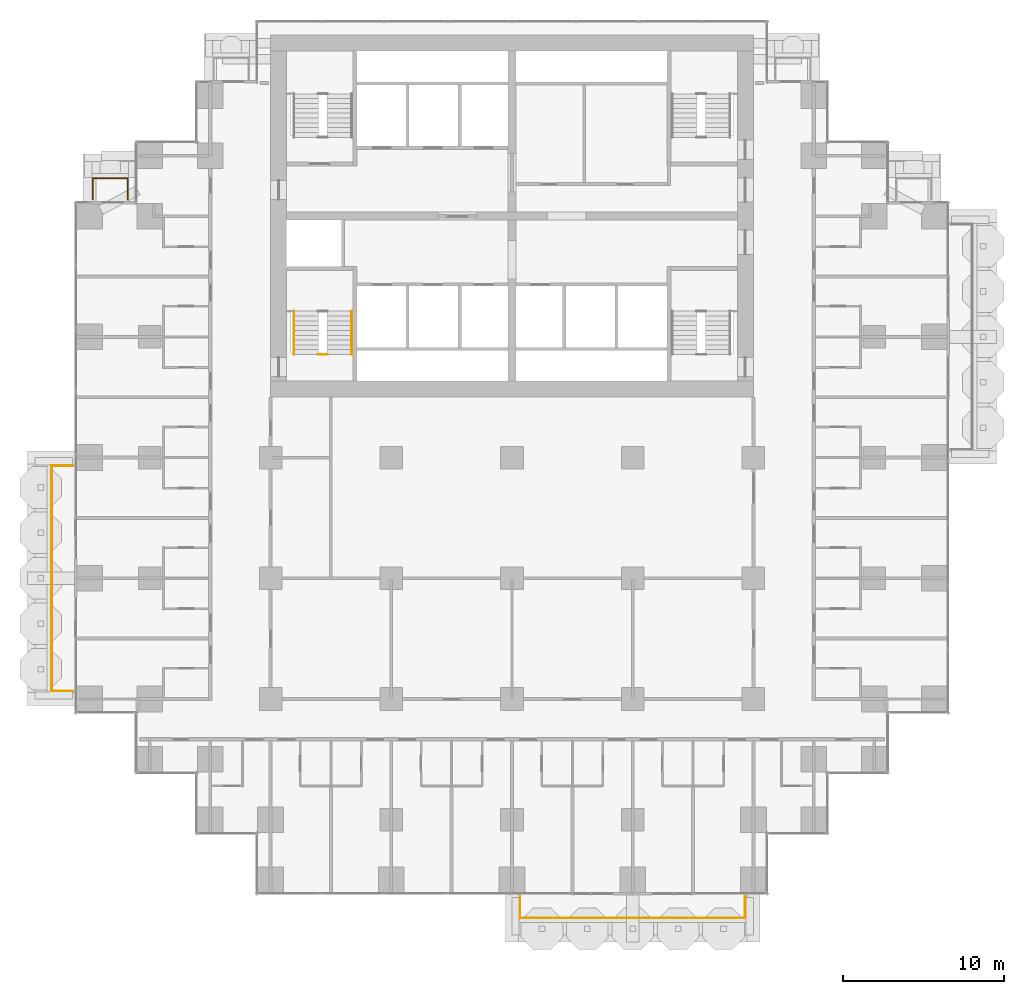
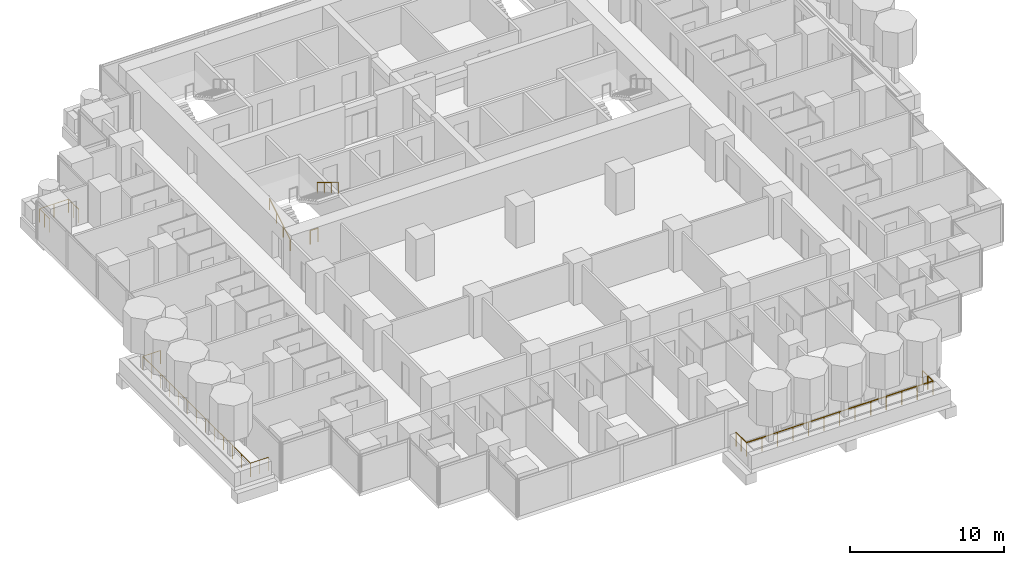
# One storey, part 17 of 19: 6 railings.
"""IFC4 building model written with IfcOpenShell, lengths in metres."""

from ifc_helpers import new_model, si_unit, direction, frame, origin, origin_2d, place, context, subcontext, project, spatial, circle, extrude, material, type_object, element, save


model = new_model("IFC4")

# Units and contexts
model_context = context("Model", 3, precision=1e-05, world=origin(), true_north=direction((0.0, 1.0)))
body_context = subcontext(model_context, "Body", "Model", "MODEL_VIEW")
ifc_project = project(units=[si_unit("LENGTHUNIT", "METRE"), si_unit("AREAUNIT", "SQUARE_METRE"), si_unit("VOLUMEUNIT", "CUBIC_METRE"), si_unit("PLANEANGLEUNIT", "RADIAN"), si_unit("MASSUNIT", "GRAM", prefix="KILO")], contexts=[model_context])

# Site, building, storey
site_placement = place(None, origin())
site = spatial("IfcSite", under=ifc_project, at=site_placement, CompositionType="ELEMENT")
building_placement = place(site_placement, origin())
building = spatial("IfcBuilding", under=site, at=building_placement, Name="Pilkhan Gate Tower", CompositionType="ELEMENT")
storey_placement = place(building_placement, frame((0.0, 0.0, 46.10009765625)))
storey = spatial("IfcBuildingStorey", under=building, at=storey_placement, Name="L08", CompositionType="ELEMENT", Elevation=46.10009765625)

# Railings
ifc_material_1 = material(Name="Pale anodised aluminium posts, laminated glass infill", Category="aluminium")
railing_type_1 = type_object("IfcRailingType", Name="Balcony guard G1", PredefinedType="BALUSTRADE", material=ifc_material_1)
railing_1_placement = place(storey_placement, frame((75.5, 40.22998046875, 0.0)))
element("IfcRailing", 1, at=railing_1_placement, inside=storey, type_object=railing_type_1, Name="Balcony guard L08 S", PredefinedType="BALUSTRADE", context=body_context, shape_type="SweptSolid", body=[
    extrude(circle(Radius=0.02392578125, at=origin_2d()), frame((0.0, 0.0, 1.076171875), z_axis=(0.0, -1.0, 0.0), x_axis=(1.0, 0.0, 0.0)), (0.0, 0.0, 1.0), 1.330078125),
    extrude(circle(Radius=0.02392578125, at=origin_2d()), frame((0.0, -1.330078125, 1.076171875), z_axis=(1.0, 0.0, 0.0), x_axis=(0.0, 1.0, 0.0)), (0.0, 0.0, 1.0), 14.0),
    extrude(circle(Radius=0.02392578125, at=origin_2d()), frame((14.0, -1.330078125, 1.076171875), z_axis=(0.0, 1.0, 0.0), x_axis=(-1.0, 0.0, 0.0)), (0.0, 0.0, 1.0), 1.330078125),
    extrude(circle(Radius=0.02099609375, at=origin_2d()), origin(), (0.0, 0.0, 1.0), 1.052001953125),
    extrude(circle(Radius=0.02099609375, at=origin_2d()), frame((0.0, -0.6650390625, 0.0)), (0.0, 0.0, 1.0), 1.052001953125),
    extrude(circle(Radius=0.02099609375, at=origin_2d()), frame((0.0, -1.330078125, 0.0)), (0.0, 0.0, 1.0), 1.052001953125),
    extrude(circle(Radius=0.02099609375, at=origin_2d()), frame((1.166748046875, -1.330078125, 0.0)), (0.0, 0.0, 1.0), 1.052001953125),
    extrude(circle(Radius=0.02099609375, at=origin_2d()), frame((2.333251953125, -1.330078125, 0.0)), (0.0, 0.0, 1.0), 1.052001953125),
    extrude(circle(Radius=0.02099609375, at=origin_2d()), frame((3.5, -1.330078125, 0.0)), (0.0, 0.0, 1.0), 1.052001953125),
    extrude(circle(Radius=0.02099609375, at=origin_2d()), frame((4.666748046875, -1.330078125, 0.0)), (0.0, 0.0, 1.0), 1.052001953125),
    extrude(circle(Radius=0.02099609375, at=origin_2d()), frame((5.833251953125, -1.330078125, 0.0)), (0.0, 0.0, 1.0), 1.052001953125),
    extrude(circle(Radius=0.02099609375, at=origin_2d()), frame((7.0, -1.330078125, 0.0)), (0.0, 0.0, 1.0), 1.052001953125),
    extrude(circle(Radius=0.02099609375, at=origin_2d()), frame((8.166748046875, -1.330078125, 0.0)), (0.0, 0.0, 1.0), 1.052001953125),
    extrude(circle(Radius=0.02099609375, at=origin_2d()), frame((9.333251953125, -1.330078125, 0.0)), (0.0, 0.0, 1.0), 1.052001953125),
    extrude(circle(Radius=0.02099609375, at=origin_2d()), frame((10.5, -1.330078125, 0.0)), (0.0, 0.0, 1.0), 1.052001953125),
    extrude(circle(Radius=0.02099609375, at=origin_2d()), frame((11.666748046875, -1.330078125, 0.0)), (0.0, 0.0, 1.0), 1.052001953125),
    extrude(circle(Radius=0.02099609375, at=origin_2d()), frame((12.833251953125, -1.330078125, 0.0)), (0.0, 0.0, 1.0), 1.052001953125),
    extrude(circle(Radius=0.02099609375, at=origin_2d()), frame((14.0, -1.330078125, 0.0)), (0.0, 0.0, 1.0), 1.052001953125),
    extrude(circle(Radius=0.02099609375, at=origin_2d()), frame((14.0, -0.6650390625, 0.0)), (0.0, 0.0, 1.0), 1.052001953125),
    extrude(circle(Radius=0.02099609375, at=origin_2d()), frame((14.0, 0.0, 0.0)), (0.0, 0.0, 1.0), 1.052001953125),
])
railing_2_placement = place(storey_placement, frame((48.949951171875, 83.5400390625, 0.0)))
element("IfcRailing", 2, at=railing_2_placement, inside=storey, type_object=railing_type_1, Name="Balcony guard L08 N", PredefinedType="BALUSTRADE", context=body_context, shape_type="SweptSolid", body=[
    extrude(circle(Radius=0.02392578125, at=origin_2d()), frame((0.0, 0.0, 1.076171875), z_axis=(0.0, 1.0, 0.0), x_axis=(-1.0, 0.0, 0.0)), (0.0, 0.0, 1.0), 1.31005859375),
    extrude(circle(Radius=0.02392578125, at=origin_2d()), frame((0.0, 1.31005859375, 1.076171875), z_axis=(1.0, 0.0, 0.0), x_axis=(0.0, 1.0, 0.0)), (0.0, 0.0, 1.0), 2.179931640625),
    extrude(circle(Radius=0.02392578125, at=origin_2d()), frame((2.179931640625, 1.31005859375, 1.076171875), z_axis=(0.0, -1.0, 0.0), x_axis=(1.0, 0.0, 0.0)), (0.0, 0.0, 1.0), 1.31005859375),
    extrude(circle(Radius=0.02099609375, at=origin_2d()), origin(), (0.0, 0.0, 1.0), 1.052001953125),
    extrude(circle(Radius=0.02099609375, at=origin_2d()), frame((0.0, 0.655029296875, 0.0)), (0.0, 0.0, 1.0), 1.052001953125),
    extrude(circle(Radius=0.02099609375, at=origin_2d()), frame((0.0, 1.31005859375, 0.0)), (0.0, 0.0, 1.0), 1.052001953125),
    extrude(circle(Radius=0.02099609375, at=origin_2d()), frame((1.08984375, 1.31005859375, 0.0)), (0.0, 0.0, 1.0), 1.052001953125),
    extrude(circle(Radius=0.02099609375, at=origin_2d()), frame((2.179931640625, 1.31005859375, 0.0)), (0.0, 0.0, 1.0), 1.052001953125),
    extrude(circle(Radius=0.02099609375, at=origin_2d()), frame((2.179931640625, 0.655029296875, 0.0)), (0.0, 0.0, 1.0), 1.052001953125),
    extrude(circle(Radius=0.02099609375, at=origin_2d()), frame((2.179931640625, 0.0, 0.0)), (0.0, 0.0, 1.0), 1.052001953125),
])
railing_3_placement = place(storey_placement, frame((47.72998046875, 53.0, 0.0)))
element("IfcRailing", 3, at=railing_3_placement, inside=storey, type_object=railing_type_1, Name="Balcony guard L08 W", PredefinedType="BALUSTRADE", context=body_context, shape_type="SweptSolid", body=[
    extrude(circle(Radius=0.02392578125, at=origin_2d()), frame((0.0, 0.0, 1.076171875), z_axis=(-1.0, 0.0, 0.0), x_axis=(0.0, -1.0, 0.0)), (0.0, 0.0, 1.0), 1.330078125),
    extrude(circle(Radius=0.02392578125, at=origin_2d()), frame((-1.330078125, 0.0, 1.076171875), z_axis=(0.0, 1.0, 0.0), x_axis=(-1.0, 0.0, 0.0)), (0.0, 0.0, 1.0), 14.0),
    extrude(circle(Radius=0.02392578125, at=origin_2d()), frame((-1.330078125, 14.0, 1.076171875), z_axis=(1.0, 0.0, 0.0), x_axis=(0.0, 1.0, 0.0)), (0.0, 0.0, 1.0), 1.330078125),
    extrude(circle(Radius=0.02099609375, at=origin_2d()), origin(), (0.0, 0.0, 1.0), 1.052001953125),
    extrude(circle(Radius=0.02099609375, at=origin_2d()), frame((-0.6650390625, 0.0, 0.0)), (0.0, 0.0, 1.0), 1.052001953125),
    extrude(circle(Radius=0.02099609375, at=origin_2d()), frame((-1.330078125, 0.0, 0.0)), (0.0, 0.0, 1.0), 1.052001953125),
    extrude(circle(Radius=0.02099609375, at=origin_2d()), frame((-1.330078125, 1.166748046875, 0.0)), (0.0, 0.0, 1.0), 1.052001953125),
    extrude(circle(Radius=0.02099609375, at=origin_2d()), frame((-1.330078125, 2.333251953125, 0.0)), (0.0, 0.0, 1.0), 1.052001953125),
    extrude(circle(Radius=0.02099609375, at=origin_2d()), frame((-1.330078125, 3.5, 0.0)), (0.0, 0.0, 1.0), 1.052001953125),
    extrude(circle(Radius=0.02099609375, at=origin_2d()), frame((-1.330078125, 4.666748046875, 0.0)), (0.0, 0.0, 1.0), 1.052001953125),
    extrude(circle(Radius=0.02099609375, at=origin_2d()), frame((-1.330078125, 5.833251953125, 0.0)), (0.0, 0.0, 1.0), 1.052001953125),
    extrude(circle(Radius=0.02099609375, at=origin_2d()), frame((-1.330078125, 7.0, 0.0)), (0.0, 0.0, 1.0), 1.052001953125),
    extrude(circle(Radius=0.02099609375, at=origin_2d()), frame((-1.330078125, 8.166748046875, 0.0)), (0.0, 0.0, 1.0), 1.052001953125),
    extrude(circle(Radius=0.02099609375, at=origin_2d()), frame((-1.330078125, 9.333251953125, 0.0)), (0.0, 0.0, 1.0), 1.052001953125),
    extrude(circle(Radius=0.02099609375, at=origin_2d()), frame((-1.330078125, 10.5, 0.0)), (0.0, 0.0, 1.0), 1.052001953125),
    extrude(circle(Radius=0.02099609375, at=origin_2d()), frame((-1.330078125, 11.666748046875, 0.0)), (0.0, 0.0, 1.0), 1.052001953125),
    extrude(circle(Radius=0.02099609375, at=origin_2d()), frame((-1.330078125, 12.833251953125, 0.0)), (0.0, 0.0, 1.0), 1.052001953125),
    extrude(circle(Radius=0.02099609375, at=origin_2d()), frame((-1.330078125, 14.0, 0.0)), (0.0, 0.0, 1.0), 1.052001953125),
    extrude(circle(Radius=0.02099609375, at=origin_2d()), frame((-0.6650390625, 14.0, 0.0)), (0.0, 0.0, 1.0), 1.052001953125),
    extrude(circle(Radius=0.02099609375, at=origin_2d()), frame((0.0, 14.0, 0.0)), (0.0, 0.0, 1.0), 1.052001953125),
])
ifc_material_2 = material(Name="Black powder-coated steel tube", Category="steel")
railing_type_2 = type_object("IfcRailingType", Name="Stair handrail HR1", PredefinedType="HANDRAIL", material=ifc_material_2)
railing_4_placement = place(storey_placement, frame((61.449951171875, 73.89990234375, 0.0)))
element("IfcRailing", 4, at=railing_4_placement, inside=storey, type_object=railing_type_2, Name="Stair ST2 handrail L08", PredefinedType="HANDRAIL", context=body_context, shape_type="SweptSolid", body=[
    extrude(circle(Radius=0.02392578125, at=origin_2d()), frame((0.0, 0.0, 0.8759765625), z_axis=(0.0, 0.853312346642, 0.521400075823), x_axis=(-1.0, 0.0, 0.0)), (0.0, 0.0, 1.0), 3.164306640625),
    extrude(circle(Radius=0.02099609375, at=origin_2d()), origin(), (0.0, 0.0, 1.0), 0.851806640625),
    extrude(circle(Radius=0.02099609375, at=origin_2d()), frame((0.0, 0.900146484375, 0.550048828125)), (0.0, 0.0, 1.0), 0.851806640625),
    extrude(circle(Radius=0.02099609375, at=origin_2d()), frame((0.0, 1.800048828125, 1.099853515625)), (0.0, 0.0, 1.0), 0.851806640625),
    extrude(circle(Radius=0.02099609375, at=origin_2d()), frame((0.0, 2.7001953125, 1.64990234375)), (0.0, 0.0, 1.0), 0.851806640625),
])
railing_5_placement = place(storey_placement, frame((65.050048828125, 76.60009765625, 1.64990234375)))
element("IfcRailing", 5, at=railing_5_placement, inside=storey, type_object=railing_type_2, Name="Stair ST2 handrail L08", PredefinedType="HANDRAIL", context=body_context, shape_type="SweptSolid", body=[
    extrude(circle(Radius=0.02392578125, at=origin_2d()), frame((0.0, 0.0, 0.8759765625), z_axis=(0.0, -0.853312346642, 0.521400075823), x_axis=(1.0, 0.0, 0.0)), (0.0, 0.0, 1.0), 3.164306640625),
    extrude(circle(Radius=0.02099609375, at=origin_2d()), origin(), (0.0, 0.0, 1.0), 0.851806640625),
    extrude(circle(Radius=0.02099609375, at=origin_2d()), frame((0.0, -0.900146484375, 0.550048828125)), (0.0, 0.0, 1.0), 0.851806640625),
    extrude(circle(Radius=0.02099609375, at=origin_2d()), frame((0.0, -1.800048828125, 1.099853515625)), (0.0, 0.0, 1.0), 0.851806640625),
    extrude(circle(Radius=0.02099609375, at=origin_2d()), frame((0.0, -2.7001953125, 1.64990234375)), (0.0, 0.0, 1.0), 0.851806640625),
])
ifc_material_3 = material(Name="Black powder-coated steel balusters", Category="steel")
railing_type_3 = type_object("IfcRailingType", Name="Stair well guard G3", PredefinedType="GUARDRAIL", material=ifc_material_3)
railing_6_placement = place(storey_placement, frame((62.9599609375, 73.89990234375, 0.0)))
element("IfcRailing", 6, at=railing_6_placement, inside=storey, type_object=railing_type_3, Name="Stair ST2 well guard L08", PredefinedType="GUARDRAIL", context=body_context, shape_type="SweptSolid", body=[
    extrude(circle(Radius=0.02392578125, at=origin_2d()), frame((0.0, 0.0, 1.076171875), z_axis=(1.0, 0.0, 0.0), x_axis=(0.0, 1.0, 0.0)), (0.0, 0.0, 1.0), 0.580078125),
    extrude(circle(Radius=0.02099609375, at=origin_2d()), origin(), (0.0, 0.0, 1.0), 1.052001953125),
    extrude(circle(Radius=0.02099609375, at=origin_2d()), frame((0.580078125, 0.0, 0.0)), (0.0, 0.0, 1.0), 1.052001953125),
])

save(model, "model.ifc")
